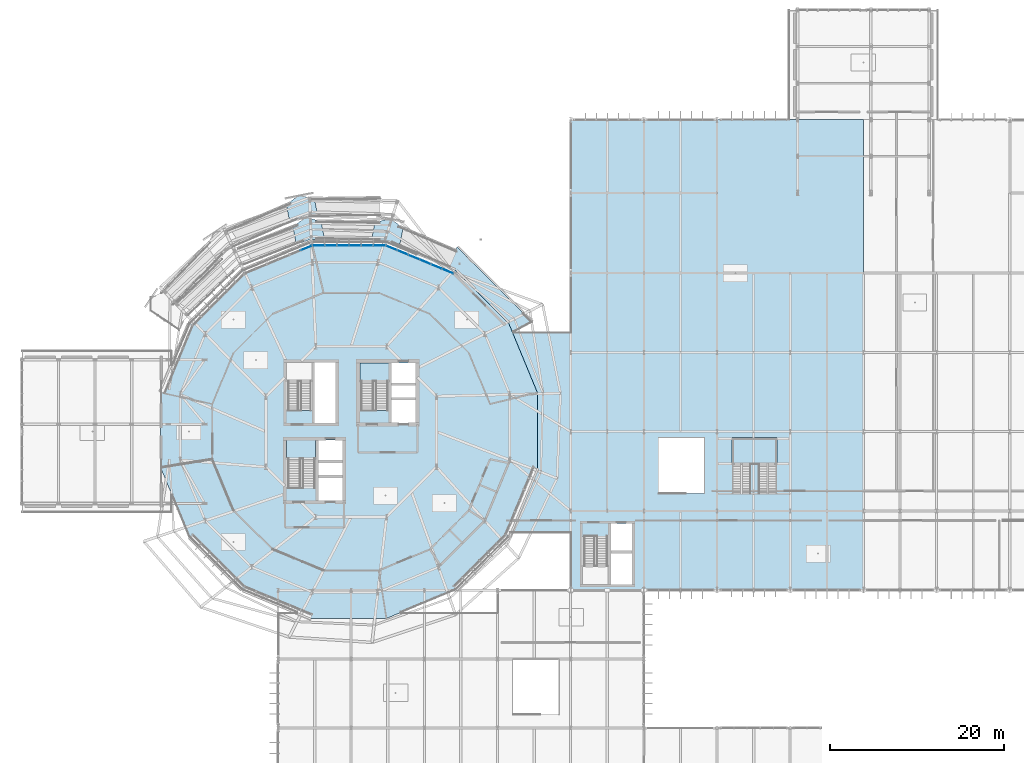
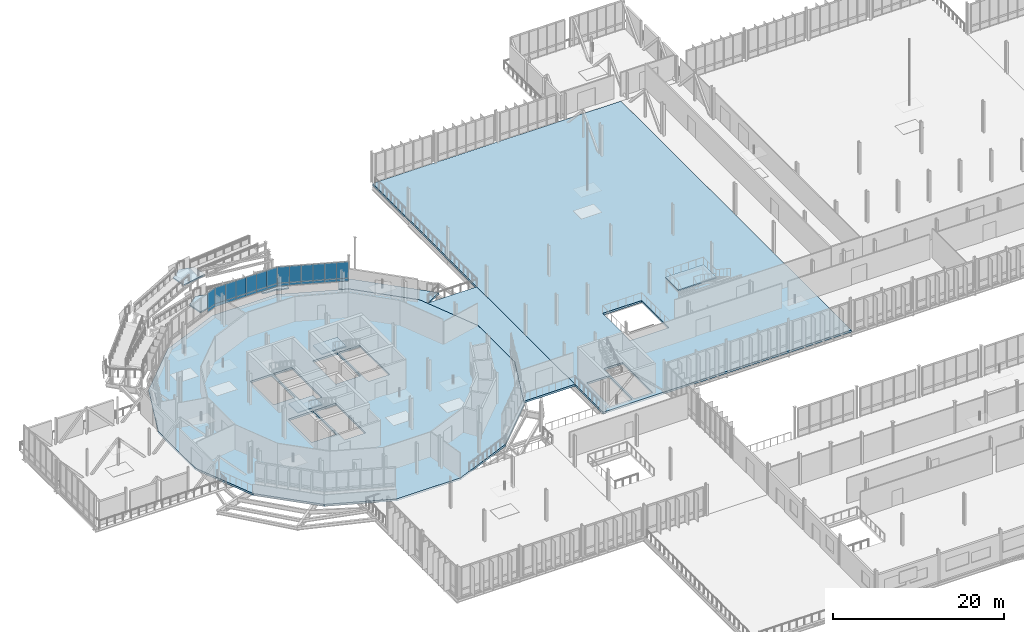
# One storey, part 91 of 139: 26 plates, 10 slabs, 7 elements without a shape of their own.
"""IFC4 building model written with IfcOpenShell, lengths in metres."""

from ifc_helpers import new_model, si_unit, derived_unit, direction, frame, origin, origin_2d, place, context, subcontext, project, spatial, polyline, rectangle, outline, extrude, material, layer, layer_set, type_object, element, aggregate, save


model = new_model("IFC4")

# Units and contexts
model_context = context("Model", 3, precision=1e-05, world=origin(), true_north=direction((0.0, 1.0)))
body_context = subcontext(model_context, "Body", "Model", "MODEL_VIEW")
ifc_project = project(units=[si_unit("LENGTHUNIT", "METRE"), si_unit("AREAUNIT", "SQUARE_METRE"), si_unit("VOLUMEUNIT", "CUBIC_METRE"), si_unit("PLANEANGLEUNIT", "RADIAN"), si_unit("MASSUNIT", "GRAM", prefix="KILO"), derived_unit("THERMALTRANSMITTANCEUNIT", [(si_unit("MASSUNIT", "GRAM", prefix="KILO"), 1), (si_unit("TIMEUNIT", "SECOND"), -3), (si_unit("THERMODYNAMICTEMPERATUREUNIT", "KELVIN"), -1)])], contexts=[model_context])

# Site, building, storey
site_placement = place(None, origin())
site = spatial("IfcSite", under=ifc_project, at=site_placement, CompositionType="ELEMENT")
building_placement = place(site_placement, origin())
building = spatial("IfcBuilding", under=site, at=building_placement, Name="Makaiwela Harbour Ferry Terminal", CompositionType="ELEMENT")
storey_placement = place(building_placement, frame((0.0, 0.0, 5.10009765625)))
storey = spatial("IfcBuildingStorey", under=building, at=storey_placement, Name="L01", CompositionType="ELEMENT", Elevation=5.10009765625)

# Curtain wall, plates
ifc_material_1 = material(Name="Marine anodised aluminium 6063-T6", Category="aluminium")
ifc_layer_1 = layer(ifc_material_1, 0.199951171875)
ifc_layer_set_1 = layer_set([ifc_layer_1], Name="Marine anodised aluminium 6063-T6")
curtain_wall_type = type_object("IfcCurtainWallType", Name="ENV-CW-03", PredefinedType="USERDEFINED", material=ifc_layer_set_1)
curtain_wall_1_placement = place(storey_placement, origin())
curtain_wall_1 = element("IfcCurtainWall", 1, at=curtain_wall_1_placement, inside=storey, type_object=curtain_wall_type, Name="Unitised Curtain Wall CWA-011", ObjectType="UNITIZED CURTAIN WALL", PredefinedType="USERDEFINED")
ifc_material_2 = material(Name="Laminated hurricane-impact low-E insulated glazing", Category="glass")
ifc_layer_2 = layer(ifc_material_2, 0.031982421875)
ifc_layer_set_2 = layer_set([ifc_layer_2], Name="Laminated hurricane-impact low-E insulated glazing")
plate_type_1 = type_object("IfcPlateType", Name="CW-PNL-G05", PredefinedType="CURTAIN_PANEL", material=ifc_layer_set_2)
plate_1_placement = place(storey_placement, frame((48.87841796875, 86.01806640625, 1.89990234375), z_axis=(0.0, 0.0, 1.0), x_axis=(-0.923879532511, 0.382683432365, 0.0)))
plate_1 = element("IfcPlate", 2, at=plate_1_placement, type_object=plate_type_1, Name="Glazed Vision Panel CWA-011-1G", PredefinedType="CURTAIN_PANEL", context=body_context, shape_type="SweptSolid", body=[
    extrude(rectangle(XDim=1.39453125, YDim=0.031982421875, at=origin_2d()), origin(), (0.0, 0.0, 1.0), 2.340087890625),
])
plate_2_placement = place(storey_placement, frame((47.58984375, 86.5517578125, 1.89990234375), z_axis=(0.0, 0.0, 1.0), x_axis=(-0.923879532511, 0.382683432365, 0.0)))
plate_2 = element("IfcPlate", 3, at=plate_2_placement, type_object=plate_type_1, Name="Glazed Vision Panel CWA-011-2G", PredefinedType="CURTAIN_PANEL", context=body_context, shape_type="SweptSolid", body=[
    extrude(rectangle(XDim=1.39453125, YDim=0.031982421875, at=origin_2d()), origin(), (0.0, 0.0, 1.0), 2.340087890625),
])
plate_3_placement = place(storey_placement, frame((46.301513671875, 87.08544921875, 1.89990234375), z_axis=(0.0, 0.0, 1.0), x_axis=(-0.923879532511, 0.382683432365, 0.0)))
plate_3 = element("IfcPlate", 4, at=plate_3_placement, type_object=plate_type_1, Name="Glazed Vision Panel CWA-011-3G", PredefinedType="CURTAIN_PANEL", context=body_context, shape_type="SweptSolid", body=[
    extrude(rectangle(XDim=1.39453125, YDim=0.031982421875, at=origin_2d()), origin(), (0.0, 0.0, 1.0), 2.340087890625),
])
plate_4_placement = place(storey_placement, frame((45.012939453125, 87.619140625, 1.89990234375), z_axis=(0.0, 0.0, 1.0), x_axis=(-0.923879532511, 0.382683432365, 0.0)))
plate_4 = element("IfcPlate", 5, at=plate_4_placement, type_object=plate_type_1, Name="Glazed Vision Panel CWA-011-4G", PredefinedType="CURTAIN_PANEL", context=body_context, shape_type="SweptSolid", body=[
    extrude(rectangle(XDim=1.39453125, YDim=0.031982421875, at=origin_2d()), origin(), (0.0, 0.0, 1.0), 2.340087890625),
])
plate_5_placement = place(storey_placement, frame((43.724365234375, 88.15283203125, 1.89990234375), z_axis=(0.0, 0.0, 1.0), x_axis=(-0.923879532511, 0.382683432365, 0.0)))
plate_5 = element("IfcPlate", 6, at=plate_5_placement, type_object=plate_type_1, Name="Glazed Vision Panel CWA-011-5G", PredefinedType="CURTAIN_PANEL", context=body_context, shape_type="SweptSolid", body=[
    extrude(rectangle(XDim=1.39453125, YDim=0.031982421875, at=origin_2d()), origin(), (0.0, 0.0, 1.0), 2.340087890625),
])
plate_6_placement = place(storey_placement, frame((42.435791015625, 88.6865234375, 1.89990234375), z_axis=(0.0, 0.0, 1.0), x_axis=(-0.923879532511, 0.382683432365, 0.0)))
plate_6 = element("IfcPlate", 7, at=plate_6_placement, type_object=plate_type_1, Name="Glazed Vision Panel CWA-011-6G", PredefinedType="CURTAIN_PANEL", context=body_context, shape_type="SweptSolid", body=[
    extrude(rectangle(XDim=1.39453125, YDim=0.031982421875, at=origin_2d()), origin(), (0.0, 0.0, 1.0), 2.340087890625),
])

curtain_wall_2_placement = place(storey_placement, origin())
curtain_wall_2 = element("IfcCurtainWall", 8, at=curtain_wall_2_placement, inside=storey, type_object=curtain_wall_type, Name="Unitised Curtain Wall CWA-012", ObjectType="UNITIZED CURTAIN WALL", PredefinedType="USERDEFINED")
plate_7_placement = place(storey_placement, frame((41.03662109375, 88.965087890625, 1.89990234375), z_axis=(0.0, 0.0, 1.0), x_axis=(-1.0, 0.0, 0.0)))
plate_7 = element("IfcPlate", 9, at=plate_7_placement, type_object=plate_type_1, Name="Glazed Vision Panel CWA-012-1G", PredefinedType="CURTAIN_PANEL", context=body_context, shape_type="SweptSolid", body=[
    extrude(rectangle(XDim=1.394775390625, YDim=0.031982421875, at=origin_2d()), origin(), (0.0, 0.0, 1.0), 2.340087890625),
])
plate_8_placement = place(storey_placement, frame((39.64208984375, 88.965087890625, 1.89990234375), z_axis=(0.0, 0.0, 1.0), x_axis=(-1.0, 0.0, 0.0)))
plate_8 = element("IfcPlate", 10, at=plate_8_placement, type_object=plate_type_1, Name="Glazed Vision Panel CWA-012-2G", PredefinedType="CURTAIN_PANEL", context=body_context, shape_type="SweptSolid", body=[
    extrude(rectangle(XDim=1.394775390625, YDim=0.031982421875, at=origin_2d()), origin(), (0.0, 0.0, 1.0), 2.340087890625),
])
plate_9_placement = place(storey_placement, frame((38.247314453125, 88.965087890625, 1.89990234375), z_axis=(0.0, 0.0, 1.0), x_axis=(-1.0, 0.0, 0.0)))
plate_9 = element("IfcPlate", 11, at=plate_9_placement, type_object=plate_type_1, Name="Glazed Vision Panel CWA-012-3G", PredefinedType="CURTAIN_PANEL", context=body_context, shape_type="SweptSolid", body=[
    extrude(rectangle(XDim=1.394775390625, YDim=0.031982421875, at=origin_2d()), origin(), (0.0, 0.0, 1.0), 2.340087890625),
])
plate_10_placement = place(storey_placement, frame((36.852783203125, 88.965087890625, 1.89990234375), z_axis=(0.0, 0.0, 1.0), x_axis=(-1.0, 0.0, 0.0)))
plate_10 = element("IfcPlate", 12, at=plate_10_placement, type_object=plate_type_1, Name="Glazed Vision Panel CWA-012-4G", PredefinedType="CURTAIN_PANEL", context=body_context, shape_type="SweptSolid", body=[
    extrude(rectangle(XDim=1.394775390625, YDim=0.031982421875, at=origin_2d()), origin(), (0.0, 0.0, 1.0), 2.340087890625),
])
plate_11_placement = place(storey_placement, frame((35.4580078125, 88.965087890625, 1.89990234375), z_axis=(0.0, 0.0, 1.0), x_axis=(-1.0, 0.0, 0.0)))
plate_11 = element("IfcPlate", 13, at=plate_11_placement, type_object=plate_type_1, Name="Glazed Vision Panel CWA-012-5G", PredefinedType="CURTAIN_PANEL", context=body_context, shape_type="SweptSolid", body=[
    extrude(rectangle(XDim=1.394775390625, YDim=0.031982421875, at=origin_2d()), origin(), (0.0, 0.0, 1.0), 2.340087890625),
])
plate_12_placement = place(storey_placement, frame((34.063232421875, 88.965087890625, 1.89990234375), z_axis=(0.0, 0.0, 1.0), x_axis=(-1.0, 0.0, 0.0)))
plate_12 = element("IfcPlate", 14, at=plate_12_placement, type_object=plate_type_1, Name="Glazed Vision Panel CWA-012-6G", PredefinedType="CURTAIN_PANEL", context=body_context, shape_type="SweptSolid", body=[
    extrude(rectangle(XDim=1.394775390625, YDim=0.031982421875, at=origin_2d()), origin(), (0.0, 0.0, 1.0), 2.340087890625),
])

# Curtain wall, plate
curtain_wall_3_placement = place(storey_placement, origin())
curtain_wall_3 = element("IfcCurtainWall", 15, at=curtain_wall_3_placement, inside=storey, type_object=curtain_wall_type, Name="Unitised Curtain Wall CWA-013", ObjectType="UNITIZED CURTAIN WALL", PredefinedType="USERDEFINED")
plate_13_placement = place(storey_placement, frame((32.6640625, 88.6865234375, 1.89990234375), z_axis=(0.0, 0.0, 1.0), x_axis=(-0.923879532511, -0.382683432365, 0.0)))
plate_13 = element("IfcPlate", 16, at=plate_13_placement, type_object=plate_type_1, Name="Glazed Vision Panel CWA-013-1G", PredefinedType="CURTAIN_PANEL", context=body_context, shape_type="SweptSolid", body=[
    extrude(rectangle(XDim=1.39453125, YDim=0.031982421875, at=origin_2d()), origin(), (0.0, 0.0, 1.0), 2.340087890625),
])

# Plate
ifc_material_3 = material(Name="Insulated marine aluminium spandrel panel", Category="aluminium")
ifc_layer_3 = layer(ifc_material_3, 0.048095703125)
ifc_layer_set_3 = layer_set([ifc_layer_3], Name="Insulated marine aluminium spandrel panel")
plate_type_2 = type_object("IfcPlateType", Name="CW-PNL-S04", PredefinedType="CURTAIN_PANEL", material=ifc_layer_set_3)
plate_14_placement = place(storey_placement, frame((48.87841796875, 86.01806640625, 1.47998046875), z_axis=(0.0, 0.0, 1.0), x_axis=(-0.923879532511, 0.382683432365, 0.0)))
plate_14 = element("IfcPlate", 17, at=plate_14_placement, type_object=plate_type_2, Name="Spandrel Panel CWA-011-1S", PredefinedType="CURTAIN_PANEL", context=body_context, shape_type="SweptSolid", body=[
    extrude(rectangle(XDim=1.39453125, YDim=0.048095703125, at=origin_2d()), origin(), (0.0, 0.0, 1.0), 0.419921875),
])

plate_15_placement = place(storey_placement, frame((47.58984375, 86.5517578125, 1.47998046875), z_axis=(0.0, 0.0, 1.0), x_axis=(-0.923879532511, 0.382683432365, 0.0)))
plate_15 = element("IfcPlate", 18, at=plate_15_placement, type_object=plate_type_2, Name="Spandrel Panel CWA-011-2S", PredefinedType="CURTAIN_PANEL", context=body_context, shape_type="SweptSolid", body=[
    extrude(rectangle(XDim=1.39453125, YDim=0.048095703125, at=origin_2d()), origin(), (0.0, 0.0, 1.0), 0.419921875),
])

plate_16_placement = place(storey_placement, frame((46.301513671875, 87.08544921875, 1.47998046875), z_axis=(0.0, 0.0, 1.0), x_axis=(-0.923879532511, 0.382683432365, 0.0)))
plate_16 = element("IfcPlate", 19, at=plate_16_placement, type_object=plate_type_2, Name="Spandrel Panel CWA-011-3S", PredefinedType="CURTAIN_PANEL", context=body_context, shape_type="SweptSolid", body=[
    extrude(rectangle(XDim=1.39453125, YDim=0.048095703125, at=origin_2d()), origin(), (0.0, 0.0, 1.0), 0.419921875),
])

plate_17_placement = place(storey_placement, frame((45.012939453125, 87.619140625, 1.47998046875), z_axis=(0.0, 0.0, 1.0), x_axis=(-0.923879532511, 0.382683432365, 0.0)))
plate_17 = element("IfcPlate", 20, at=plate_17_placement, type_object=plate_type_2, Name="Spandrel Panel CWA-011-4S", PredefinedType="CURTAIN_PANEL", context=body_context, shape_type="SweptSolid", body=[
    extrude(rectangle(XDim=1.39453125, YDim=0.048095703125, at=origin_2d()), origin(), (0.0, 0.0, 1.0), 0.419921875),
])

plate_18_placement = place(storey_placement, frame((43.724365234375, 88.15283203125, 1.47998046875), z_axis=(0.0, 0.0, 1.0), x_axis=(-0.923879532511, 0.382683432365, 0.0)))
plate_18 = element("IfcPlate", 21, at=plate_18_placement, type_object=plate_type_2, Name="Spandrel Panel CWA-011-5S", PredefinedType="CURTAIN_PANEL", context=body_context, shape_type="SweptSolid", body=[
    extrude(rectangle(XDim=1.39453125, YDim=0.048095703125, at=origin_2d()), origin(), (0.0, 0.0, 1.0), 0.419921875),
])

plate_19_placement = place(storey_placement, frame((42.435791015625, 88.6865234375, 1.47998046875), z_axis=(0.0, 0.0, 1.0), x_axis=(-0.923879532511, 0.382683432365, 0.0)))
plate_19 = element("IfcPlate", 22, at=plate_19_placement, type_object=plate_type_2, Name="Spandrel Panel CWA-011-6S", PredefinedType="CURTAIN_PANEL", context=body_context, shape_type="SweptSolid", body=[
    extrude(rectangle(XDim=1.39453125, YDim=0.048095703125, at=origin_2d()), origin(), (0.0, 0.0, 1.0), 0.419921875),
])

aggregate(curtain_wall_1, [plate_14, plate_1, plate_15, plate_2, plate_16, plate_3, plate_17, plate_4, plate_18, plate_5, plate_19, plate_6])

plate_20_placement = place(storey_placement, frame((41.03662109375, 88.965087890625, 1.47998046875), z_axis=(0.0, 0.0, 1.0), x_axis=(-1.0, 0.0, 0.0)))
plate_20 = element("IfcPlate", 23, at=plate_20_placement, type_object=plate_type_2, Name="Spandrel Panel CWA-012-1S", PredefinedType="CURTAIN_PANEL", context=body_context, shape_type="SweptSolid", body=[
    extrude(rectangle(XDim=1.394775390625, YDim=0.048095703125, at=origin_2d()), origin(), (0.0, 0.0, 1.0), 0.419921875),
])

plate_21_placement = place(storey_placement, frame((39.64208984375, 88.965087890625, 1.47998046875), z_axis=(0.0, 0.0, 1.0), x_axis=(-1.0, 0.0, 0.0)))
plate_21 = element("IfcPlate", 24, at=plate_21_placement, type_object=plate_type_2, Name="Spandrel Panel CWA-012-2S", PredefinedType="CURTAIN_PANEL", context=body_context, shape_type="SweptSolid", body=[
    extrude(rectangle(XDim=1.394775390625, YDim=0.048095703125, at=origin_2d()), origin(), (0.0, 0.0, 1.0), 0.419921875),
])

plate_22_placement = place(storey_placement, frame((38.247314453125, 88.965087890625, 1.47998046875), z_axis=(0.0, 0.0, 1.0), x_axis=(-1.0, 0.0, 0.0)))
plate_22 = element("IfcPlate", 25, at=plate_22_placement, type_object=plate_type_2, Name="Spandrel Panel CWA-012-3S", PredefinedType="CURTAIN_PANEL", context=body_context, shape_type="SweptSolid", body=[
    extrude(rectangle(XDim=1.394775390625, YDim=0.048095703125, at=origin_2d()), origin(), (0.0, 0.0, 1.0), 0.419921875),
])

plate_23_placement = place(storey_placement, frame((36.852783203125, 88.965087890625, 1.47998046875), z_axis=(0.0, 0.0, 1.0), x_axis=(-1.0, 0.0, 0.0)))
plate_23 = element("IfcPlate", 26, at=plate_23_placement, type_object=plate_type_2, Name="Spandrel Panel CWA-012-4S", PredefinedType="CURTAIN_PANEL", context=body_context, shape_type="SweptSolid", body=[
    extrude(rectangle(XDim=1.394775390625, YDim=0.048095703125, at=origin_2d()), origin(), (0.0, 0.0, 1.0), 0.419921875),
])

plate_24_placement = place(storey_placement, frame((35.4580078125, 88.965087890625, 1.47998046875), z_axis=(0.0, 0.0, 1.0), x_axis=(-1.0, 0.0, 0.0)))
plate_24 = element("IfcPlate", 27, at=plate_24_placement, type_object=plate_type_2, Name="Spandrel Panel CWA-012-5S", PredefinedType="CURTAIN_PANEL", context=body_context, shape_type="SweptSolid", body=[
    extrude(rectangle(XDim=1.394775390625, YDim=0.048095703125, at=origin_2d()), origin(), (0.0, 0.0, 1.0), 0.419921875),
])

plate_25_placement = place(storey_placement, frame((34.063232421875, 88.965087890625, 1.47998046875), z_axis=(0.0, 0.0, 1.0), x_axis=(-1.0, 0.0, 0.0)))
plate_25 = element("IfcPlate", 28, at=plate_25_placement, type_object=plate_type_2, Name="Spandrel Panel CWA-012-6S", PredefinedType="CURTAIN_PANEL", context=body_context, shape_type="SweptSolid", body=[
    extrude(rectangle(XDim=1.394775390625, YDim=0.048095703125, at=origin_2d()), origin(), (0.0, 0.0, 1.0), 0.419921875),
])

aggregate(curtain_wall_2, [plate_20, plate_7, plate_21, plate_8, plate_22, plate_9, plate_23, plate_10, plate_24, plate_11, plate_25, plate_12])

plate_26_placement = place(storey_placement, frame((32.6640625, 88.6865234375, 1.47998046875), z_axis=(0.0, 0.0, 1.0), x_axis=(-0.923879532511, -0.382683432365, 0.0)))
plate_26 = element("IfcPlate", 29, at=plate_26_placement, type_object=plate_type_2, Name="Spandrel Panel CWA-013-1S", PredefinedType="CURTAIN_PANEL", context=body_context, shape_type="SweptSolid", body=[
    extrude(rectangle(XDim=1.39453125, YDim=0.048095703125, at=origin_2d()), origin(), (0.0, 0.0, 1.0), 0.419921875),
])

aggregate(curtain_wall_3, [plate_26, plate_13])

# Slabs
ifc_material_4 = material(Name="Concrete f'c 35 MPa (5000 psi)", Category="concrete")
ifc_layer_4 = layer(ifc_material_4, 0.280029296875)
ifc_layer_set_4 = layer_set([ifc_layer_4], Name="Concrete f'c 35 MPa (5000 psi)")
slab_type_1 = type_object("IfcSlabType", Name="SLB-FLR-280", PredefinedType="FLOOR", material=ifc_layer_set_4)
slab_1_placement = place(storey_placement, frame((0.0, 0.0, -0.280029296875)))
element("IfcSlab", 30, at=slab_1_placement, inside=storey, type_object=slab_type_1, Name="Slab SLB-011", PredefinedType="FLOOR", context=body_context, shape_type="SweptSolid", body=[
    extrude(outline(polyline([(59.17626953125, 72.081787109375), (55.8837890625, 80.0302734375), (49.80029296875, 86.114013671875), (41.851806640625, 89.40625), (33.248291015625, 89.40625), (25.2998046875, 86.114013671875), (19.216064453125, 80.0302734375), (15.923583984375, 72.081787109375), (15.923583984375, 63.478271484375), (19.216064453125, 55.52978515625), (25.2998046875, 49.446044921875), (33.248291015625, 46.15380859375), (41.851806640625, 46.15380859375), (49.80029296875, 49.446044921875), (55.8837890625, 55.52978515625), (59.17626953125, 63.478271484375), (59.17626953125, 72.081787109375)]), holes=[polyline([(38.794921875, 70.0400390625), (38.794921875, 75.5048828125), (42.14208984375, 75.5048828125), (42.14208984375, 70.0400390625), (38.794921875, 70.0400390625)]), polyline([(42.35205078125, 68.594970703125), (42.35205078125, 75.5048828125), (45.205078125, 75.5048828125), (45.205078125, 68.594970703125), (42.35205078125, 68.594970703125)]), polyline([(30.3701171875, 61.139892578125), (30.3701171875, 66.6298828125), (33.741943359375, 66.6298828125), (33.741943359375, 61.139892578125), (30.3701171875, 61.139892578125)]), polyline([(33.951904296875, 59.669921875), (33.951904296875, 66.6298828125), (36.830078125, 66.6298828125), (36.830078125, 59.669921875), (33.951904296875, 59.669921875)]), polyline([(30.35009765625, 70.0400390625), (30.35009765625, 75.550048828125), (33.31005859375, 75.550048828125), (33.31005859375, 70.0400390625), (30.35009765625, 70.0400390625)]), polyline([(33.52001953125, 68.550048828125), (33.52001953125, 75.550048828125), (36.050048828125, 75.550048828125), (36.050048828125, 68.550048828125), (33.52001953125, 68.550048828125)])]), origin(), (0.0, 0.0, 1.0), 0.280029296875),
])
slab_2_placement = place(storey_placement, frame((0.0, 0.0, -0.280029296875)))
element("IfcSlab", 31, at=slab_2_placement, inside=storey, type_object=slab_type_1, Name="Slab SLB-012", PredefinedType="FLOOR", context=body_context, shape_type="SweptSolid", body=[
    extrude(outline(polyline([(56.312744140625, 79.0), (59.17822265625, 72.081787109375), (59.177978515625, 63.4775390625), (56.080810546875, 56.0), (63.0, 56.0), (63.0, 79.0), (56.312744140625, 79.0)])), origin(), (0.0, 0.0, 1.0), 0.280029296875),
])
slab_3_placement = place(storey_placement, frame((0.0, 0.0, -0.280029296875)))
element("IfcSlab", 32, at=slab_3_placement, inside=storey, type_object=slab_type_1, Name="Slab SLB-016", PredefinedType="FLOOR", context=body_context, shape_type="SweptSolid", body=[
    extrude(outline(polyline([(63.001953125, 79.0), (63.0, 55.998046875), (63.0, 49.402099609375), (71.402099609375, 49.39990234375), (96.60009765625, 49.39990234375), (96.60009765625, 103.39990234375), (63.0, 103.39990234375), (63.001953125, 79.0)]), holes=[polyline([(64.330078125, 50.030029296875), (64.330078125, 55.56005859375), (67.31005859375, 55.56005859375), (67.31005859375, 50.030029296875), (64.330078125, 50.030029296875)]), polyline([(67.52001953125, 50.030029296875), (67.52001953125, 57.070068359375), (70.070068359375, 57.070068359375), (70.070068359375, 50.030029296875), (67.52001953125, 50.030029296875)]), polyline([(73.080078125, 60.52001953125), (73.080078125, 66.919921875), (78.320068359375, 66.919921875), (78.320068359375, 60.52001953125), (73.080078125, 60.52001953125)])]), origin(), (0.0, 0.0, 1.0), 0.280029296875),
])

# Stair, slab
stair_type_1 = type_object("IfcStairType", Name="CIR-STR-A02", PredefinedType="HALF_TURN_STAIR", material=ifc_material_4)
stair_1_placement = place(storey_placement, origin())
stair_1 = element("IfcStair", 33, at=stair_1_placement, inside=storey, type_object=stair_type_1, Name="Stair ST-01-L01", PredefinedType="HALF_TURN_STAIR")
ifc_layer_5 = layer(ifc_material_4, 0.14990234375)
ifc_layer_set_5 = layer_set([ifc_layer_5], Name="Concrete f'c 35 MPa (5000 psi)")
slab_type_2 = type_object("IfcSlabType", Name="SLB-LND-150", PredefinedType="LANDING", material=ifc_layer_set_5)
slab_4_placement = place(storey_placement, frame((0.0, 0.0, 2.099853515625)))
slab_4 = element("IfcSlab", 34, at=slab_4_placement, type_object=slab_type_2, Name="Stair Half Landing LND-02", PredefinedType="LANDING", context=body_context, shape_type="SweptSolid", body=[
    extrude(outline(polyline([(38.81005859375, 73.3701171875), (42.126953125, 73.3701171875), (42.126953125, 75.489990234375), (38.81005859375, 75.489990234375), (38.81005859375, 73.3701171875)])), origin(), (0.0, 0.0, 1.0), 0.150146484375),
])
aggregate(stair_1, [slab_4])

stair_2_placement = place(storey_placement, origin())
stair_2 = element("IfcStair", 35, at=stair_2_placement, inside=storey, type_object=stair_type_1, Name="Stair ST-02-L01", PredefinedType="HALF_TURN_STAIR")
slab_5_placement = place(storey_placement, frame((0.0, 0.0, 2.099853515625)))
slab_5 = element("IfcSlab", 36, at=slab_5_placement, type_object=slab_type_2, Name="Stair Half Landing LND-07", PredefinedType="LANDING", context=body_context, shape_type="SweptSolid", body=[
    extrude(outline(polyline([(30.385009765625, 64.469970703125), (33.72705078125, 64.469970703125), (33.72705078125, 66.614990234375), (30.385009765625, 66.614990234375), (30.385009765625, 64.469970703125)])), origin(), (0.0, 0.0, 1.0), 0.150146484375),
])
aggregate(stair_2, [slab_5])

stair_type_2 = type_object("IfcStairType", Name="CIR-STR-A11", PredefinedType="STRAIGHT_RUN_STAIR", material=ifc_material_4)
stair_3_placement = place(storey_placement, origin())
stair_3 = element("IfcStair", 37, at=stair_3_placement, inside=storey, type_object=stair_type_2, Name="Stair ST-09-L01", PredefinedType="STRAIGHT_RUN_STAIR")
slab_6_placement = place(storey_placement, frame((0.0, 0.0, 2.099853515625)))
slab_6 = element("IfcSlab", 38, at=slab_6_placement, type_object=slab_type_2, Name="Stair Half Landing LND-25", PredefinedType="LANDING", context=body_context, shape_type="SweptSolid", body=[
    extrude(outline(polyline([(81.5, 63.840087890625), (86.699951171875, 63.840087890625), (86.699951171875, 66.89990234375), (81.5, 66.89990234375), (81.5, 63.840087890625)])), origin(), (0.0, 0.0, 1.0), 0.150146484375),
])
aggregate(stair_3, [slab_6])

# Ramp, slabs
ramp_type = type_object("IfcRampType", Name="CIR-RMP-ASSY", PredefinedType="STRAIGHT_RUN_RAMP", material=ifc_material_4)
ramp_placement = place(storey_placement, origin())
ramp = element("IfcRamp", 39, at=ramp_placement, inside=storey, type_object=ramp_type, Name="External Coiled Promenade Ramp L01 to L02", PredefinedType="STRAIGHT_RUN_RAMP")
ifc_layer_6 = layer(ifc_material_4, 0.169921875)
ifc_layer_set_6 = layer_set([ifc_layer_6], Name="Concrete f'c 35 MPa (5000 psi)")
slab_type_3 = type_object("IfcSlabType", Name="SLB-LND-170", PredefinedType="LANDING", material=ifc_layer_set_6)
slab_7_placement = place(storey_placement, frame((0.0, 0.0, 0.472900390625)))
slab_7 = element("IfcSlab", 40, at=slab_7_placement, type_object=slab_type_3, Name="Promenade Ramp Landing RMP-COIL-L01-LI1", PredefinedType="LANDING", context=body_context, shape_type="SweptSolid", body=[
    extrude(outline(polyline([(40.8134765625, 89.53955078125), (41.797119140625, 89.53955078125), (41.797119140625, 89.53955078125), (41.79736328125, 89.53955078125), (41.797607421875, 89.539306640625), (41.7978515625, 89.539306640625), (42.70654296875, 89.162841796875), (43.37841796875, 89.029296875), (43.756591796875, 90.931884765625), (42.30810546875, 92.107177734375), (40.52001953125, 91.57568359375), (40.1416015625, 89.673095703125), (40.8134765625, 89.53955078125)])), origin(), (0.0, 0.0, 1.0), 0.169921875),
])
slab_8_placement = place(storey_placement, frame((0.0, 0.0, 1.11572265625)))
slab_8 = element("IfcSlab", 41, at=slab_8_placement, type_object=slab_type_3, Name="Promenade Ramp Landing RMP-COIL-L01-LI2", PredefinedType="LANDING", context=body_context, shape_type="SweptSolid", body=[
    extrude(outline(polyline([(32.16259765625, 89.294189453125), (33.0712890625, 89.67041015625), (33.0712890625, 89.670654296875), (33.071533203125, 89.670654296875), (33.07177734375, 89.670654296875), (33.072021484375, 89.670654296875), (34.0556640625, 89.670654296875), (34.727294921875, 89.80419921875), (34.348876953125, 91.70703125), (32.560791015625, 92.23828125), (31.1123046875, 91.063232421875), (31.49072265625, 89.160400390625), (32.16259765625, 89.294189453125)])), origin(), (0.0, 0.0, 1.0), 0.169921875),
])
slab_9_placement = place(storey_placement, frame((0.0, 0.0, 3.68701171875)))
slab_9 = element("IfcSlab", 42, at=slab_9_placement, type_object=slab_type_3, Name="Promenade Ramp Landing RMP-COIL-L01-LO2", PredefinedType="LANDING", context=body_context, shape_type="SweptSolid", body=[
    extrude(outline(polyline([(33.970947265625, 92.359375), (33.594482421875, 94.252197265625), (31.806396484375, 94.78369140625), (30.35791015625, 93.6083984375), (30.734375, 91.715576171875), (33.970947265625, 92.359375)])), origin(), (0.0, 0.0, 1.0), 0.169921875),
])
aggregate(ramp, [slab_7, slab_8, slab_9])

# Slab
ifc_layer_7 = layer(ifc_material_4, 0.25)
ifc_layer_set_7 = layer_set([ifc_layer_7], Name="Concrete f'c 35 MPa (5000 psi)")
slab_type_4 = type_object("IfcSlabType", Name="SLB-TER-250", PredefinedType="FLOOR", material=ifc_layer_set_7)
slab_10_placement = place(storey_placement, frame((0.0, 0.0, -0.25)))
element("IfcSlab", 43, at=slab_10_placement, inside=storey, type_object=slab_type_4, Name="Promenade Ramp Balcony Terrace RTER-L01", PredefinedType="FLOOR", context=body_context, shape_type="SweptSolid", body=[
    extrude(outline(polyline([(49.14501953125, 86.387451171875), (49.801025390625, 86.11572265625), (49.80126953125, 86.11572265625), (49.801513671875, 86.115478515625), (49.801513671875, 86.115478515625), (49.8017578125, 86.115234375), (55.88525390625, 80.03173828125), (55.885498046875, 80.031494140625), (55.885498046875, 80.031494140625), (55.8857421875, 80.03125), (55.8857421875, 80.031005859375), (56.265625, 79.114013671875), (56.384033203125, 78.992919921875), (58.571533203125, 80.1875), (49.95751953125, 88.801513671875), (48.762939453125, 86.77783203125), (49.14501953125, 86.387451171875)])), origin(), (0.0, 0.0, 1.0), 0.25),
])

save(model, "model.ifc")
